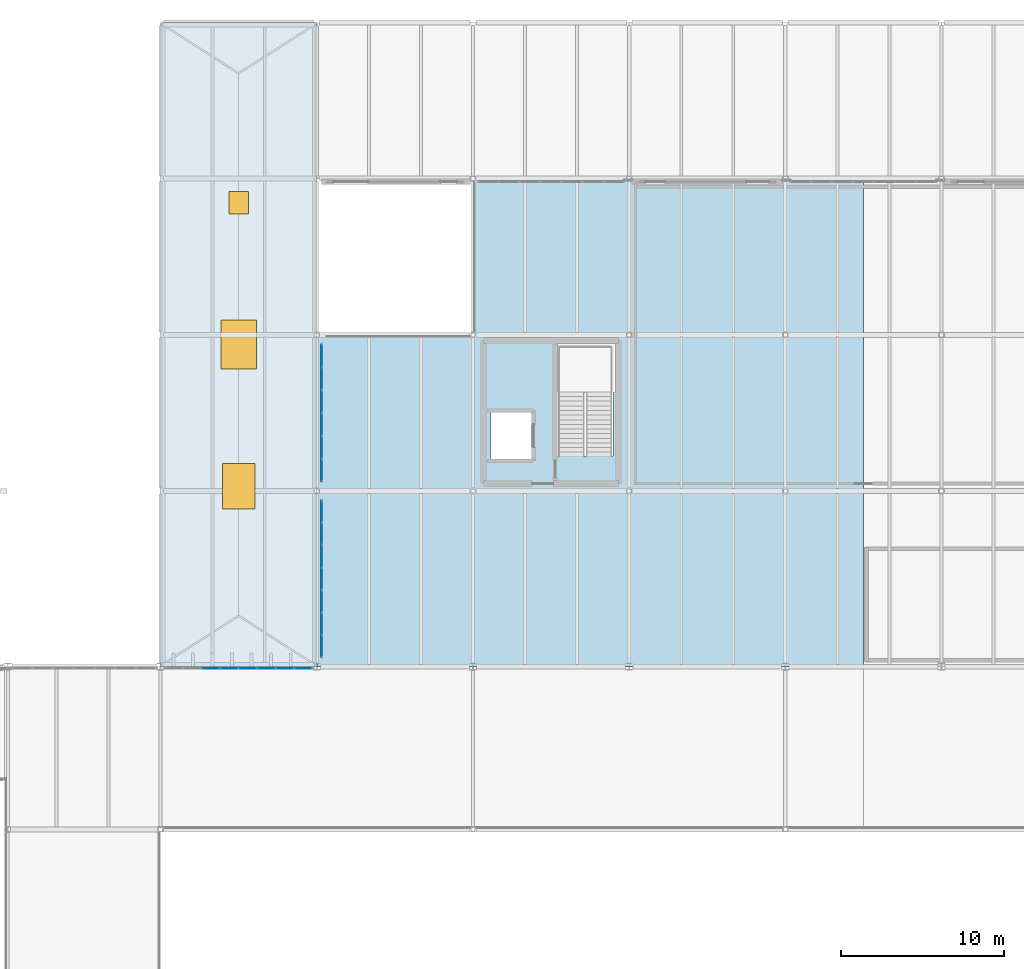
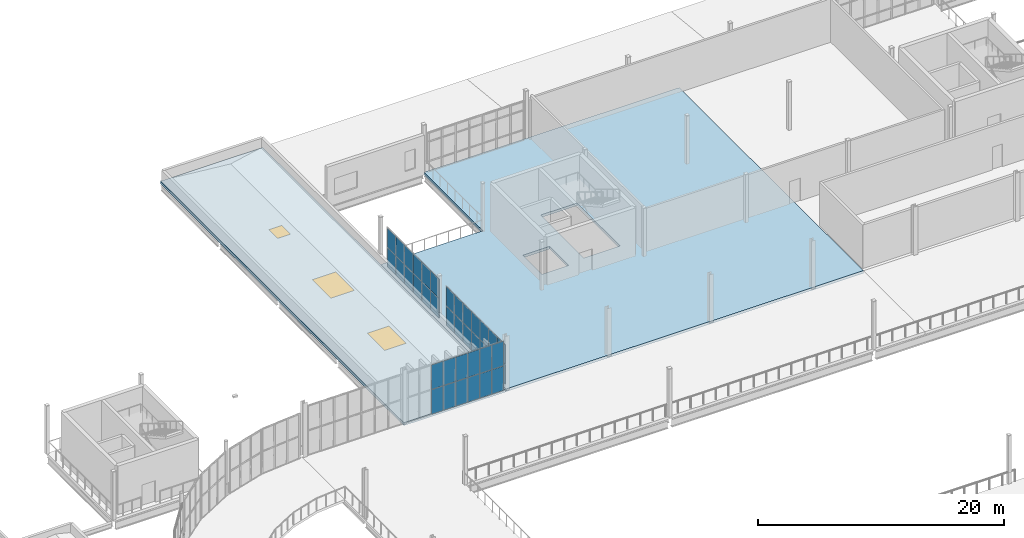
# One storey, part 80 of 112: 38 plates, 2 slabs, 2 windows, 1 door, 3 openings, 3 elements without a shape of their own.
"""IFC4 building model written with IfcOpenShell, lengths in metres."""

from ifc_helpers import new_model, si_unit, direction, frame, origin, origin_2d, place, context, subcontext, project, spatial, polyline, rectangle, outline, extrude, material, layer, layer_set, type_object, element, fill, aggregate, save


model = new_model("IFC4")

# Units and contexts
model_context = context("Model", 3, precision=1e-05, world=origin(), true_north=direction((0.0, 1.0)))
body_context = subcontext(model_context, "Body", "Model", "MODEL_VIEW")
ifc_project = project(units=[si_unit("LENGTHUNIT", "METRE"), si_unit("AREAUNIT", "SQUARE_METRE"), si_unit("VOLUMEUNIT", "CUBIC_METRE"), si_unit("PLANEANGLEUNIT", "RADIAN"), si_unit("MASSUNIT", "GRAM", prefix="KILO")], contexts=[model_context])

# Site, building, storey
site_placement = place(None, origin())
site = spatial("IfcSite", under=ifc_project, at=site_placement, CompositionType="ELEMENT")
building_placement = place(site_placement, origin())
building = spatial("IfcBuilding", under=site, at=building_placement, Name="Yeouljin Market Hall", CompositionType="ELEMENT")
storey_placement = place(building_placement, frame((0.0, 0.0, 6.0)))
storey = spatial("IfcBuildingStorey", under=building, at=storey_placement, Name="L01", CompositionType="ELEMENT", Elevation=6.0)

# Curtain wall, plates
ifc_material_1 = material(Name="Thermally Broken Aluminium", Category="aluminium")
ifc_layer_1 = layer(ifc_material_1, 0.159912109375)
ifc_layer_set_1 = layer_set([ifc_layer_1], Name="Thermally Broken Aluminium")
curtain_wall_type_1 = type_object("IfcCurtainWallType", Name="CW_HallClerestory_System", PredefinedType="USERDEFINED", material=ifc_layer_set_1)
curtain_wall_1_placement = place(storey_placement, origin())
curtain_wall_1 = element("IfcCurtainWall", 1, at=curtain_wall_1_placement, inside=storey, type_object=curtain_wall_type_1, Name="Curtain wall CW-V1N-UP-02", ObjectType="CURTAIN WALL", PredefinedType="USERDEFINED")
ifc_material_2 = material(Name="Low-E Insulated Glass", Category="glass")
ifc_layer_2 = layer(ifc_material_2, 0.028076171875)
ifc_layer_set_2 = layer_set([ifc_layer_2], Name="Low-E Insulated Glass")
plate_type = type_object("IfcPlateType", Name="CWPanel_LowE_28", PredefinedType="CURTAIN_PANEL", material=ifc_layer_set_2)
plate_1_placement = place(storey_placement, frame((48.09375, 77.89990234375, 0.0478515625), z_axis=(0.0, 0.0, 1.0), x_axis=(1.0, 0.0, 0.0)))
plate_1 = element("IfcPlate", 2, at=plate_1_placement, type_object=plate_type, Name="CW-02 panel 3.1", PredefinedType="CURTAIN_PANEL", context=body_context, shape_type="SweptSolid", body=[
    extrude(rectangle(XDim=1.089599609375, YDim=0.028076171875, at=origin_2d()), origin(), (0.0, 0.0, 1.0), 2.4130859375),
])
plate_2_placement = place(storey_placement, frame((48.09375, 77.89990234375, 2.509033203125), z_axis=(0.0, 0.0, 1.0), x_axis=(1.0, 0.0, 0.0)))
plate_2 = element("IfcPlate", 3, at=plate_2_placement, type_object=plate_type, Name="CW-02 panel 3.2", PredefinedType="CURTAIN_PANEL", context=body_context, shape_type="SweptSolid", body=[
    extrude(rectangle(XDim=1.089599609375, YDim=0.028076171875, at=origin_2d()), origin(), (0.0, 0.0, 1.0), 2.4130859375),
])
plate_3_placement = place(storey_placement, frame((49.231201171875, 77.89990234375, 0.0478515625), z_axis=(0.0, 0.0, 1.0), x_axis=(1.0, 0.0, 0.0)))
plate_3 = element("IfcPlate", 4, at=plate_3_placement, type_object=plate_type, Name="CW-02 panel 4.1", PredefinedType="CURTAIN_PANEL", context=body_context, shape_type="SweptSolid", body=[
    extrude(rectangle(XDim=1.089599609375, YDim=0.028076171875, at=origin_2d()), origin(), (0.0, 0.0, 1.0), 2.4130859375),
])
plate_4_placement = place(storey_placement, frame((49.231201171875, 77.89990234375, 2.509033203125), z_axis=(0.0, 0.0, 1.0), x_axis=(1.0, 0.0, 0.0)))
plate_4 = element("IfcPlate", 5, at=plate_4_placement, type_object=plate_type, Name="CW-02 panel 4.2", PredefinedType="CURTAIN_PANEL", context=body_context, shape_type="SweptSolid", body=[
    extrude(rectangle(XDim=1.089599609375, YDim=0.028076171875, at=origin_2d()), origin(), (0.0, 0.0, 1.0), 2.4130859375),
])
plate_5_placement = place(storey_placement, frame((50.36865234375, 77.89990234375, 0.0478515625), z_axis=(0.0, 0.0, 1.0), x_axis=(1.0, 0.0, 0.0)))
plate_5 = element("IfcPlate", 6, at=plate_5_placement, type_object=plate_type, Name="CW-02 panel 5.1", PredefinedType="CURTAIN_PANEL", context=body_context, shape_type="SweptSolid", body=[
    extrude(rectangle(XDim=1.089599609375, YDim=0.028076171875, at=origin_2d()), origin(), (0.0, 0.0, 1.0), 2.4130859375),
])
plate_6_placement = place(storey_placement, frame((50.36865234375, 77.89990234375, 2.509033203125), z_axis=(0.0, 0.0, 1.0), x_axis=(1.0, 0.0, 0.0)))
plate_6 = element("IfcPlate", 7, at=plate_6_placement, type_object=plate_type, Name="CW-02 panel 5.2", PredefinedType="CURTAIN_PANEL", context=body_context, shape_type="SweptSolid", body=[
    extrude(rectangle(XDim=1.089599609375, YDim=0.028076171875, at=origin_2d()), origin(), (0.0, 0.0, 1.0), 2.4130859375),
])
plate_7_placement = place(storey_placement, frame((51.50634765625, 77.89990234375, 0.0478515625), z_axis=(0.0, 0.0, 1.0), x_axis=(1.0, 0.0, 0.0)))
plate_7 = element("IfcPlate", 8, at=plate_7_placement, type_object=plate_type, Name="CW-02 panel 6.1", PredefinedType="CURTAIN_PANEL", context=body_context, shape_type="SweptSolid", body=[
    extrude(rectangle(XDim=1.089599609375, YDim=0.028076171875, at=origin_2d()), origin(), (0.0, 0.0, 1.0), 2.4130859375),
])
plate_8_placement = place(storey_placement, frame((51.50634765625, 77.89990234375, 2.509033203125), z_axis=(0.0, 0.0, 1.0), x_axis=(1.0, 0.0, 0.0)))
plate_8 = element("IfcPlate", 9, at=plate_8_placement, type_object=plate_type, Name="CW-02 panel 6.2", PredefinedType="CURTAIN_PANEL", context=body_context, shape_type="SweptSolid", body=[
    extrude(rectangle(XDim=1.089599609375, YDim=0.028076171875, at=origin_2d()), origin(), (0.0, 0.0, 1.0), 2.4130859375),
])
plate_9_placement = place(storey_placement, frame((52.643798828125, 77.89990234375, 0.0478515625), z_axis=(0.0, 0.0, 1.0), x_axis=(1.0, 0.0, 0.0)))
plate_9 = element("IfcPlate", 10, at=plate_9_placement, type_object=plate_type, Name="CW-02 panel 7.1", PredefinedType="CURTAIN_PANEL", context=body_context, shape_type="SweptSolid", body=[
    extrude(rectangle(XDim=1.089599609375, YDim=0.028076171875, at=origin_2d()), origin(), (0.0, 0.0, 1.0), 2.4130859375),
])
plate_10_placement = place(storey_placement, frame((52.643798828125, 77.89990234375, 2.509033203125), z_axis=(0.0, 0.0, 1.0), x_axis=(1.0, 0.0, 0.0)))
plate_10 = element("IfcPlate", 11, at=plate_10_placement, type_object=plate_type, Name="CW-02 panel 7.2", PredefinedType="CURTAIN_PANEL", context=body_context, shape_type="SweptSolid", body=[
    extrude(rectangle(XDim=1.089599609375, YDim=0.028076171875, at=origin_2d()), origin(), (0.0, 0.0, 1.0), 2.4130859375),
])
plate_11_placement = place(storey_placement, frame((53.769287109375, 77.89990234375, 0.0478515625), z_axis=(0.0, 0.0, 1.0), x_axis=(1.0, 0.0, 0.0)))
plate_11 = element("IfcPlate", 12, at=plate_11_placement, type_object=plate_type, Name="CW-02 panel 8.1", PredefinedType="CURTAIN_PANEL", context=body_context, shape_type="SweptSolid", body=[
    extrude(rectangle(XDim=1.0654296875, YDim=0.028076171875, at=origin_2d()), origin(), (0.0, 0.0, 1.0), 2.4130859375),
])
plate_12_placement = place(storey_placement, frame((53.769287109375, 77.89990234375, 2.509033203125), z_axis=(0.0, 0.0, 1.0), x_axis=(1.0, 0.0, 0.0)))
plate_12 = element("IfcPlate", 13, at=plate_12_placement, type_object=plate_type, Name="CW-02 panel 8.2", PredefinedType="CURTAIN_PANEL", context=body_context, shape_type="SweptSolid", body=[
    extrude(rectangle(XDim=1.0654296875, YDim=0.028076171875, at=origin_2d()), origin(), (0.0, 0.0, 1.0), 2.4130859375),
])
aggregate(curtain_wall_1, [plate_1, plate_2, plate_3, plate_4, plate_5, plate_6, plate_7, plate_8, plate_9, plate_10, plate_11, plate_12])

ifc_material_3 = material(Name="Thermally Broken Aluminium", Category="aluminium")
ifc_layer_3 = layer(ifc_material_3, 0.14990234375)
ifc_layer_set_3 = layer_set([ifc_layer_3], Name="Thermally Broken Aluminium")
curtain_wall_type_2 = type_object("IfcCurtainWallType", Name="CW_WingStorefront_System", PredefinedType="USERDEFINED", material=ifc_layer_set_3)
curtain_wall_2_placement = place(storey_placement, origin())
curtain_wall_2 = element("IfcCurtainWall", 14, at=curtain_wall_2_placement, inside=storey, type_object=curtain_wall_type_2, Name="Curtain wall CW-CRT-L01-21", ObjectType="CURTAIN WALL", PredefinedType="USERDEFINED")
plate_13_placement = place(storey_placement, frame((54.89990234375, 79.2548828125, 0.0478515625), z_axis=(0.0, 0.0, 1.0), x_axis=(0.0, 1.0, 0.0)))
plate_13 = element("IfcPlate", 15, at=plate_13_placement, type_object=plate_type, Name="CW-04 panel 1.1", PredefinedType="CURTAIN_PANEL", context=body_context, shape_type="SweptSolid", body=[
    extrude(rectangle(XDim=1.313720703125, YDim=0.028076171875, at=origin_2d()), origin(), (0.0, 0.0, 1.0), 1.903076171875),
])
plate_14_placement = place(storey_placement, frame((54.89990234375, 79.2548828125, 1.9990234375), z_axis=(0.0, 0.0, 1.0), x_axis=(0.0, 1.0, 0.0)))
plate_14 = element("IfcPlate", 16, at=plate_14_placement, type_object=plate_type, Name="CW-04 panel 1.2", PredefinedType="CURTAIN_PANEL", context=body_context, shape_type="SweptSolid", body=[
    extrude(rectangle(XDim=1.313720703125, YDim=0.028076171875, at=origin_2d()), origin(), (0.0, 0.0, 1.0), 1.903076171875),
])
plate_15_placement = place(storey_placement, frame((54.89990234375, 80.628662109375, 0.0478515625), z_axis=(0.0, 0.0, 1.0), x_axis=(0.0, 1.0, 0.0)))
plate_15 = element("IfcPlate", 17, at=plate_15_placement, type_object=plate_type, Name="CW-04 panel 2.1", PredefinedType="CURTAIN_PANEL", context=body_context, shape_type="SweptSolid", body=[
    extrude(rectangle(XDim=1.337646484375, YDim=0.028076171875, at=origin_2d()), origin(), (0.0, 0.0, 1.0), 1.903076171875),
])
plate_16_placement = place(storey_placement, frame((54.89990234375, 80.628662109375, 1.9990234375), z_axis=(0.0, 0.0, 1.0), x_axis=(0.0, 1.0, 0.0)))
plate_16 = element("IfcPlate", 18, at=plate_16_placement, type_object=plate_type, Name="CW-04 panel 2.2", PredefinedType="CURTAIN_PANEL", context=body_context, shape_type="SweptSolid", body=[
    extrude(rectangle(XDim=1.337646484375, YDim=0.028076171875, at=origin_2d()), origin(), (0.0, 0.0, 1.0), 1.903076171875),
])
plate_17_placement = place(storey_placement, frame((54.89990234375, 82.014404296875, 0.0478515625), z_axis=(0.0, 0.0, 1.0), x_axis=(0.0, 1.0, 0.0)))
plate_17 = element("IfcPlate", 19, at=plate_17_placement, type_object=plate_type, Name="CW-04 panel 3.1", PredefinedType="CURTAIN_PANEL", context=body_context, shape_type="SweptSolid", body=[
    extrude(rectangle(XDim=1.337646484375, YDim=0.028076171875, at=origin_2d()), origin(), (0.0, 0.0, 1.0), 1.903076171875),
])
plate_18_placement = place(storey_placement, frame((54.89990234375, 82.014404296875, 1.9990234375), z_axis=(0.0, 0.0, 1.0), x_axis=(0.0, 1.0, 0.0)))
plate_18 = element("IfcPlate", 20, at=plate_18_placement, type_object=plate_type, Name="CW-04 panel 3.2", PredefinedType="CURTAIN_PANEL", context=body_context, shape_type="SweptSolid", body=[
    extrude(rectangle(XDim=1.337646484375, YDim=0.028076171875, at=origin_2d()), origin(), (0.0, 0.0, 1.0), 1.903076171875),
])
plate_19_placement = place(storey_placement, frame((54.89990234375, 83.39990234375, 0.0478515625), z_axis=(0.0, 0.0, 1.0), x_axis=(0.0, 1.0, 0.0)))
plate_19 = element("IfcPlate", 21, at=plate_19_placement, type_object=plate_type, Name="CW-04 panel 4.1", PredefinedType="CURTAIN_PANEL", context=body_context, shape_type="SweptSolid", body=[
    extrude(rectangle(XDim=1.337646484375, YDim=0.028076171875, at=origin_2d()), origin(), (0.0, 0.0, 1.0), 1.903076171875),
])
plate_20_placement = place(storey_placement, frame((54.89990234375, 83.39990234375, 1.9990234375), z_axis=(0.0, 0.0, 1.0), x_axis=(0.0, 1.0, 0.0)))
plate_20 = element("IfcPlate", 22, at=plate_20_placement, type_object=plate_type, Name="CW-04 panel 4.2", PredefinedType="CURTAIN_PANEL", context=body_context, shape_type="SweptSolid", body=[
    extrude(rectangle(XDim=1.337646484375, YDim=0.028076171875, at=origin_2d()), origin(), (0.0, 0.0, 1.0), 1.903076171875),
])
plate_21_placement = place(storey_placement, frame((54.89990234375, 84.78564453125, 0.0478515625), z_axis=(0.0, 0.0, 1.0), x_axis=(0.0, 1.0, 0.0)))
plate_21 = element("IfcPlate", 23, at=plate_21_placement, type_object=plate_type, Name="CW-04 panel 5.1", PredefinedType="CURTAIN_PANEL", context=body_context, shape_type="SweptSolid", body=[
    extrude(rectangle(XDim=1.337646484375, YDim=0.028076171875, at=origin_2d()), origin(), (0.0, 0.0, 1.0), 1.903076171875),
])
plate_22_placement = place(storey_placement, frame((54.89990234375, 84.78564453125, 1.9990234375), z_axis=(0.0, 0.0, 1.0), x_axis=(0.0, 1.0, 0.0)))
plate_22 = element("IfcPlate", 24, at=plate_22_placement, type_object=plate_type, Name="CW-04 panel 5.2", PredefinedType="CURTAIN_PANEL", context=body_context, shape_type="SweptSolid", body=[
    extrude(rectangle(XDim=1.337646484375, YDim=0.028076171875, at=origin_2d()), origin(), (0.0, 0.0, 1.0), 1.903076171875),
])
plate_23_placement = place(storey_placement, frame((54.89990234375, 86.17138671875, 0.0478515625), z_axis=(0.0, 0.0, 1.0), x_axis=(0.0, 1.0, 0.0)))
plate_23 = element("IfcPlate", 25, at=plate_23_placement, type_object=plate_type, Name="CW-04 panel 6.1", PredefinedType="CURTAIN_PANEL", context=body_context, shape_type="SweptSolid", body=[
    extrude(rectangle(XDim=1.337646484375, YDim=0.028076171875, at=origin_2d()), origin(), (0.0, 0.0, 1.0), 1.903076171875),
])
plate_24_placement = place(storey_placement, frame((54.89990234375, 86.17138671875, 1.9990234375), z_axis=(0.0, 0.0, 1.0), x_axis=(0.0, 1.0, 0.0)))
plate_24 = element("IfcPlate", 26, at=plate_24_placement, type_object=plate_type, Name="CW-04 panel 6.2", PredefinedType="CURTAIN_PANEL", context=body_context, shape_type="SweptSolid", body=[
    extrude(rectangle(XDim=1.337646484375, YDim=0.028076171875, at=origin_2d()), origin(), (0.0, 0.0, 1.0), 1.903076171875),
])
plate_25_placement = place(storey_placement, frame((54.89990234375, 87.545166015625, 0.0478515625), z_axis=(0.0, 0.0, 1.0), x_axis=(0.0, 1.0, 0.0)))
plate_25 = element("IfcPlate", 27, at=plate_25_placement, type_object=plate_type, Name="CW-04 panel 7.1", PredefinedType="CURTAIN_PANEL", context=body_context, shape_type="SweptSolid", body=[
    extrude(rectangle(XDim=1.313720703125, YDim=0.028076171875, at=origin_2d()), origin(), (0.0, 0.0, 1.0), 1.903076171875),
])
plate_26_placement = place(storey_placement, frame((54.89990234375, 87.545166015625, 1.9990234375), z_axis=(0.0, 0.0, 1.0), x_axis=(0.0, 1.0, 0.0)))
plate_26 = element("IfcPlate", 28, at=plate_26_placement, type_object=plate_type, Name="CW-04 panel 7.2", PredefinedType="CURTAIN_PANEL", context=body_context, shape_type="SweptSolid", body=[
    extrude(rectangle(XDim=1.313720703125, YDim=0.028076171875, at=origin_2d()), origin(), (0.0, 0.0, 1.0), 1.903076171875),
])
aggregate(curtain_wall_2, [plate_13, plate_14, plate_15, plate_16, plate_17, plate_18, plate_19, plate_20, plate_21, plate_22, plate_23, plate_24, plate_25, plate_26])

curtain_wall_3_placement = place(storey_placement, origin())
curtain_wall_3 = element("IfcCurtainWall", 29, at=curtain_wall_3_placement, inside=storey, type_object=curtain_wall_type_2, Name="Curtain wall CW-CRT-L01-22", ObjectType="CURTAIN WALL", PredefinedType="USERDEFINED")
plate_27_placement = place(storey_placement, frame((54.89990234375, 90.0703125, 0.0478515625), z_axis=(0.0, 0.0, 1.0), x_axis=(0.0, 1.0, 0.0)))
plate_27 = element("IfcPlate", 30, at=plate_27_placement, type_object=plate_type, Name="CW-04 panel 1.1", PredefinedType="CURTAIN_PANEL", context=body_context, shape_type="SweptSolid", body=[
    extrude(rectangle(XDim=1.3447265625, YDim=0.028076171875, at=origin_2d()), origin(), (0.0, 0.0, 1.0), 1.903076171875),
])
plate_28_placement = place(storey_placement, frame((54.89990234375, 90.0703125, 1.9990234375), z_axis=(0.0, 0.0, 1.0), x_axis=(0.0, 1.0, 0.0)))
plate_28 = element("IfcPlate", 31, at=plate_28_placement, type_object=plate_type, Name="CW-04 panel 1.2", PredefinedType="CURTAIN_PANEL", context=body_context, shape_type="SweptSolid", body=[
    extrude(rectangle(XDim=1.3447265625, YDim=0.028076171875, at=origin_2d()), origin(), (0.0, 0.0, 1.0), 1.903076171875),
])
plate_29_placement = place(storey_placement, frame((54.89990234375, 91.47509765625, 0.0478515625), z_axis=(0.0, 0.0, 1.0), x_axis=(0.0, 1.0, 0.0)))
plate_29 = element("IfcPlate", 32, at=plate_29_placement, type_object=plate_type, Name="CW-04 panel 2.1", PredefinedType="CURTAIN_PANEL", context=body_context, shape_type="SweptSolid", body=[
    extrude(rectangle(XDim=1.36865234375, YDim=0.028076171875, at=origin_2d()), origin(), (0.0, 0.0, 1.0), 1.903076171875),
])
plate_30_placement = place(storey_placement, frame((54.89990234375, 91.47509765625, 1.9990234375), z_axis=(0.0, 0.0, 1.0), x_axis=(0.0, 1.0, 0.0)))
plate_30 = element("IfcPlate", 33, at=plate_30_placement, type_object=plate_type, Name="CW-04 panel 2.2", PredefinedType="CURTAIN_PANEL", context=body_context, shape_type="SweptSolid", body=[
    extrude(rectangle(XDim=1.36865234375, YDim=0.028076171875, at=origin_2d()), origin(), (0.0, 0.0, 1.0), 1.903076171875),
])
plate_31_placement = place(storey_placement, frame((54.89990234375, 92.8916015625, 0.0478515625), z_axis=(0.0, 0.0, 1.0), x_axis=(0.0, 1.0, 0.0)))
plate_31 = element("IfcPlate", 34, at=plate_31_placement, type_object=plate_type, Name="CW-04 panel 3.1", PredefinedType="CURTAIN_PANEL", context=body_context, shape_type="SweptSolid", body=[
    extrude(rectangle(XDim=1.36865234375, YDim=0.028076171875, at=origin_2d()), origin(), (0.0, 0.0, 1.0), 1.903076171875),
])
plate_32_placement = place(storey_placement, frame((54.89990234375, 92.8916015625, 1.9990234375), z_axis=(0.0, 0.0, 1.0), x_axis=(0.0, 1.0, 0.0)))
plate_32 = element("IfcPlate", 35, at=plate_32_placement, type_object=plate_type, Name="CW-04 panel 3.2", PredefinedType="CURTAIN_PANEL", context=body_context, shape_type="SweptSolid", body=[
    extrude(rectangle(XDim=1.36865234375, YDim=0.028076171875, at=origin_2d()), origin(), (0.0, 0.0, 1.0), 1.903076171875),
])
plate_33_placement = place(storey_placement, frame((54.89990234375, 94.308349609375, 0.0478515625), z_axis=(0.0, 0.0, 1.0), x_axis=(0.0, 1.0, 0.0)))
plate_33 = element("IfcPlate", 36, at=plate_33_placement, type_object=plate_type, Name="CW-04 panel 4.1", PredefinedType="CURTAIN_PANEL", context=body_context, shape_type="SweptSolid", body=[
    extrude(rectangle(XDim=1.36865234375, YDim=0.028076171875, at=origin_2d()), origin(), (0.0, 0.0, 1.0), 1.903076171875),
])
plate_34_placement = place(storey_placement, frame((54.89990234375, 94.308349609375, 1.9990234375), z_axis=(0.0, 0.0, 1.0), x_axis=(0.0, 1.0, 0.0)))
plate_34 = element("IfcPlate", 37, at=plate_34_placement, type_object=plate_type, Name="CW-04 panel 4.2", PredefinedType="CURTAIN_PANEL", context=body_context, shape_type="SweptSolid", body=[
    extrude(rectangle(XDim=1.36865234375, YDim=0.028076171875, at=origin_2d()), origin(), (0.0, 0.0, 1.0), 1.903076171875),
])
plate_35_placement = place(storey_placement, frame((54.89990234375, 95.72509765625, 0.0478515625), z_axis=(0.0, 0.0, 1.0), x_axis=(0.0, 1.0, 0.0)))
plate_35 = element("IfcPlate", 38, at=plate_35_placement, type_object=plate_type, Name="CW-04 panel 5.1", PredefinedType="CURTAIN_PANEL", context=body_context, shape_type="SweptSolid", body=[
    extrude(rectangle(XDim=1.36865234375, YDim=0.028076171875, at=origin_2d()), origin(), (0.0, 0.0, 1.0), 1.903076171875),
])
plate_36_placement = place(storey_placement, frame((54.89990234375, 95.72509765625, 1.9990234375), z_axis=(0.0, 0.0, 1.0), x_axis=(0.0, 1.0, 0.0)))
plate_36 = element("IfcPlate", 39, at=plate_36_placement, type_object=plate_type, Name="CW-04 panel 5.2", PredefinedType="CURTAIN_PANEL", context=body_context, shape_type="SweptSolid", body=[
    extrude(rectangle(XDim=1.36865234375, YDim=0.028076171875, at=origin_2d()), origin(), (0.0, 0.0, 1.0), 1.903076171875),
])
plate_37_placement = place(storey_placement, frame((54.89990234375, 97.129638671875, 0.0478515625), z_axis=(0.0, 0.0, 1.0), x_axis=(0.0, 1.0, 0.0)))
plate_37 = element("IfcPlate", 40, at=plate_37_placement, type_object=plate_type, Name="CW-04 panel 6.1", PredefinedType="CURTAIN_PANEL", context=body_context, shape_type="SweptSolid", body=[
    extrude(rectangle(XDim=1.3447265625, YDim=0.028076171875, at=origin_2d()), origin(), (0.0, 0.0, 1.0), 1.903076171875),
])
plate_38_placement = place(storey_placement, frame((54.89990234375, 97.129638671875, 1.9990234375), z_axis=(0.0, 0.0, 1.0), x_axis=(0.0, 1.0, 0.0)))
plate_38 = element("IfcPlate", 41, at=plate_38_placement, type_object=plate_type, Name="CW-04 panel 6.2", PredefinedType="CURTAIN_PANEL", context=body_context, shape_type="SweptSolid", body=[
    extrude(rectangle(XDim=1.3447265625, YDim=0.028076171875, at=origin_2d()), origin(), (0.0, 0.0, 1.0), 1.903076171875),
])
aggregate(curtain_wall_3, [plate_27, plate_28, plate_29, plate_30, plate_31, plate_32, plate_33, plate_34, plate_35, plate_36, plate_37, plate_38])

# Slab
ifc_material_4 = material(Name="Concrete C30/37", Category="concrete")
ifc_layer_4 = layer(ifc_material_4, 0.260009765625)
ifc_layer_set_4 = layer_set([ifc_layer_4], Name="Concrete C30/37")
slab_type_1 = type_object("IfcSlabType", Name="SLB_NORTH_260", PredefinedType="FLOOR", material=ifc_layer_set_4)
slab_1_placement = place(storey_placement, frame((0.0, 0.0, -0.260009765625)))
element("IfcSlab", 42, at=slab_1_placement, inside=storey, type_object=slab_type_1, Name="Structural slab SLB-L01-NB1", PredefinedType="FLOOR", context=body_context, shape_type="SweptSolid", body=[
    extrude(outline(polyline([(54.60009765625, 78.0), (88.199951171875, 78.0), (88.199951171875, 108.0), (64.199951171875, 108.0), (64.199951171875, 98.39990234375), (54.60009765625, 98.39990234375), (54.60009765625, 78.0)]), holes=[polyline([(69.39990234375, 90.949951171875), (72.800048828125, 90.949951171875), (72.800048828125, 97.969970703125), (69.39990234375, 97.969970703125), (69.39990234375, 90.949951171875)]), polyline([(65.300048828125, 90.64990234375), (67.800048828125, 90.64990234375), (67.800048828125, 93.75), (65.300048828125, 93.75), (65.300048828125, 90.64990234375)])]), origin(), (0.0, 0.0, 1.0), 0.260009765625),
])

# Slab, openings, door, windows
ifc_material_5 = material(Name="Concrete C30/37", Category="concrete")
ifc_layer_5 = layer(ifc_material_5, 0.2900390625)
ifc_layer_set_5 = layer_set([ifc_layer_5], Name="Concrete C30/37")
slab_type_2 = type_object("IfcSlabType", Name="SLB_ROOF_225", PredefinedType="ROOF", material=ifc_layer_set_5)
slab_2_placement = place(storey_placement, frame((0.0, 0.0, -0.280029296875)))
slab_2 = element("IfcSlab", 43, at=slab_2_placement, inside=storey, type_object=slab_type_2, Name="Wing structural roof slab RSLB-V4-L01W", PredefinedType="ROOF", context=body_context, shape_type="SweptSolid", body=[
    extrude(outline(polyline([(45.0, 78.0), (54.60009765625, 78.0), (54.60009765625, 117.60009765625), (45.0, 117.60009765625), (45.0, 78.0)])), origin(), (0.0, 0.0, 1.0), 0.2900390625),
])
opening_1_placement = place(slab_2_placement, frame((49.800048828125, 89.087890625, 0.0)))
opening_1 = element("IfcOpeningElement", 44, at=opening_1_placement, cuts=slab_2, Name="Opening SK-03", PredefinedType="OPENING", context=body_context, shape_type="SweptSolid", body=[
    extrude(rectangle(XDim=2.0, YDim=2.800048828125, at=origin_2d()), origin(), (0.0, 0.0, 1.0), 0.2900390625),
])
opening_2_placement = place(slab_2_placement, frame((49.800048828125, 97.800048828125, 0.0)))
opening_2 = element("IfcOpeningElement", 45, at=opening_2_placement, cuts=slab_2, Name="Opening SK-04", PredefinedType="OPENING", context=body_context, shape_type="SweptSolid", body=[
    extrude(rectangle(XDim=2.199951171875, YDim=3.0, at=origin_2d()), origin(), (0.0, 0.0, 1.0), 0.2900390625),
])
opening_3_placement = place(slab_2_placement, frame((49.800048828125, 106.511962890625, 0.0)))
opening_3 = element("IfcOpeningElement", 46, at=opening_3_placement, cuts=slab_2, Name="Opening HT-01", PredefinedType="OPENING", context=body_context, shape_type="SweptSolid", body=[
    extrude(rectangle(XDim=1.199951171875, YDim=1.39990234375, at=origin_2d()), origin(), (0.0, 0.0, 1.0), 0.2900390625),
])
ifc_material_6 = material(Name="Galvanised Painted Steel", Category="steel")
door_type = type_object("IfcDoorType", Name="DT-HT120", OperationType="SINGLE_SWING_LEFT", PredefinedType="TRAPDOOR", material=ifc_material_6)
door_placement = place(opening_3_placement, frame((0.0, 0.0, 0.239990234375)))
door = element("IfcDoor", 47, at=door_placement, inside=storey, type_object=door_type, Name="Roof maintenance access hatch HT-01", OperationType="SINGLE_SWING_LEFT", OverallHeight=1.39990234375, OverallWidth=1.199951171875, PredefinedType="TRAPDOOR", context=body_context, shape_type="SweptSolid", body=[
    extrude(rectangle(XDim=1.199951171875, YDim=1.39990234375, at=origin_2d()), origin(), (0.0, 0.0, 1.0), 0.050048828125),
])
fill(opening_3, door)
ifc_material_7 = material(Name="Low-E Insulated Glass", Category="glass")
window_type_1 = type_object("IfcWindowType", Name="Skylight_2000x2800", PartitioningType="SINGLE_PANEL", PredefinedType="SKYLIGHT", material=ifc_material_7)
window_1_placement = place(opening_1_placement, frame((0.0, 0.0, 0.239990234375)))
window_1 = element("IfcWindow", 48, at=window_1_placement, inside=storey, type_object=window_type_1, Name="Roof skylight 03", OverallHeight=2.800048828125, OverallWidth=2.0, PartitioningType="SINGLE_PANEL", PredefinedType="SKYLIGHT", context=body_context, shape_type="SweptSolid", body=[
    extrude(rectangle(XDim=2.0, YDim=2.800048828125, at=origin_2d()), origin(), (0.0, 0.0, 1.0), 0.050048828125),
])
fill(opening_1, window_1)
ifc_material_8 = material(Name="Low-E Insulated Glass", Category="glass")
window_type_2 = type_object("IfcWindowType", Name="Skylight_2200x3000", PartitioningType="SINGLE_PANEL", PredefinedType="SKYLIGHT", material=ifc_material_8)
window_2_placement = place(opening_2_placement, frame((0.0, 0.0, 0.239990234375)))
window_2 = element("IfcWindow", 49, at=window_2_placement, inside=storey, type_object=window_type_2, Name="Roof skylight 04", OverallHeight=3.0, OverallWidth=2.199951171875, PartitioningType="SINGLE_PANEL", PredefinedType="SKYLIGHT", context=body_context, shape_type="SweptSolid", body=[
    extrude(rectangle(XDim=2.199951171875, YDim=3.0, at=origin_2d()), origin(), (0.0, 0.0, 1.0), 0.050048828125),
])
fill(opening_2, window_2)

save(model, "model.ifc")
